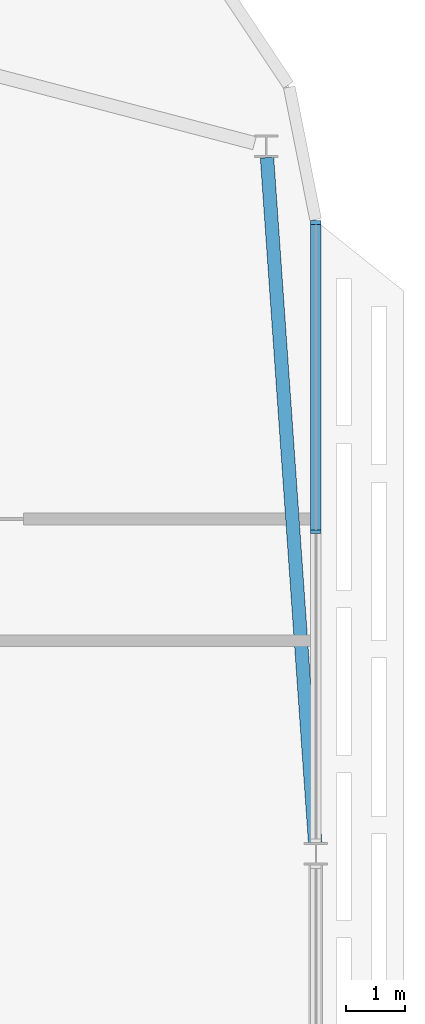
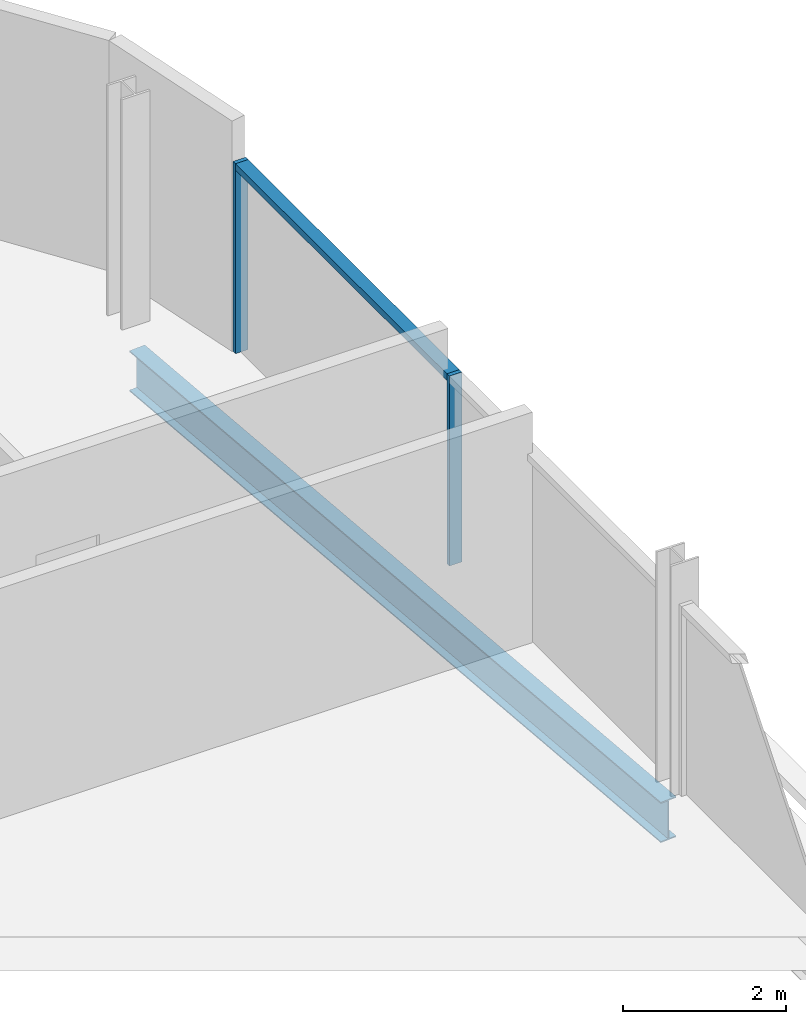
# One storey, part 15 of 32: 3 members, 1 beam, 1 element without a shape of its own.
"""IFC4 building model written with IfcOpenShell, lengths in metres."""

import ifcopenshell
import ifcopenshell.guid

model = None  # the IFC model being written
_history = None  # IfcOwnerHistory: only IFC2X3 demands one
_inside = {}  # id of a spatial element -> (the spatial element, [elements in it])
_under = {}  # id of a project, library or spatial element -> (it, [spatial elements below it])
_declared = {}  # id of a project -> (the project, [libraries it declares])
_typed = {}  # id of a type object -> (the type object, [elements of that type])
_made_of = {}  # id of a material, layer set ... -> (it, [elements and type objects made of it])


def new_model(schema):
    """Start an empty IFC model of exactly this schema.

    Asked for "IFC4X3", IfcOpenShell would pick the latest addendum, in which some entities
    have other attributes; the version numbers below select the first issue.
    IFC2X3 requires an IfcOwnerHistory on every rooted entity: one is made here for all.
    """
    global model, _history
    if schema == "IFC4X3":
        model = ifcopenshell.file(schema_version=(4, 3, 0, 0))
    else:
        model = ifcopenshell.file(schema=schema)
    _inside.clear()
    _under.clear()
    _declared.clear()
    _typed.clear()
    _made_of.clear()
    _history = None
    if model.schema == "IFC2X3":
        org = make("IfcOrganization", Name="unknown")
        user = make(
            "IfcPersonAndOrganization",
            ThePerson=make("IfcPerson", FamilyName="unknown"),
            TheOrganization=org,
        )
        app = make(
            "IfcApplication",
            ApplicationDeveloper=org,
            Version="unknown",
            ApplicationFullName="unknown",
            ApplicationIdentifier="unknown",
        )
        _history = make(
            "IfcOwnerHistory",
            OwningUser=user,
            OwningApplication=app,
            ChangeAction="ADDED",
            CreationDate=0,
        )
    return model


def make(cls, **values):
    """One entity of the class cls with the attributes given. An attribute that is None is left unset."""
    return model.create_entity(
        cls, **{name: value for name, value in values.items() if value is not None}
    )


def rooted(cls, **values):
    """An entity with a GlobalId (a new one), such as an element, a storey or a relation."""
    return make(cls, GlobalId=ifcopenshell.guid.new(), OwnerHistory=_history, **values)


def si_unit(unit_type, name, prefix=None):
    """IfcSIUnit, for example si_unit("LENGTHUNIT", "METRE", prefix="MILLI")."""
    return make("IfcSIUnit", UnitType=unit_type, Prefix=prefix, Name=name)


def assignment(units):
    """IfcUnitAssignment: the units of a project."""
    return None if units is None else make("IfcUnitAssignment", Units=units)


def point(xyz):
    """IfcCartesianPoint."""
    return None if xyz is None else make("IfcCartesianPoint", Coordinates=xyz)


def direction(xyz):
    """IfcDirection."""
    return None if xyz is None else make("IfcDirection", DirectionRatios=xyz)


def frame(location, z_axis=None, x_axis=None):
    """IfcAxis2Placement3D, a coordinate frame: its origin and axes. An axis left out is left unset."""
    return make(
        "IfcAxis2Placement3D",
        Location=point(location),
        Axis=direction(z_axis),
        RefDirection=direction(x_axis),
    )


def frame_2d(location, x_axis=None):
    """IfcAxis2Placement2D, a coordinate frame in the plane: its origin and x axis."""
    return make(
        "IfcAxis2Placement2D", Location=point(location), RefDirection=direction(x_axis)
    )


def origin():
    """The frame at (0, 0, 0) with its axes left unset."""
    return frame((0.0, 0.0, 0.0))


def origin_2d():
    """The frame at (0, 0) in the plane with its x axis left unset."""
    return frame_2d((0.0, 0.0))


def place(relative_to, where):
    """IfcLocalPlacement: puts the frame where relative to a parent placement (None: the world)."""
    return make(
        "IfcLocalPlacement", PlacementRelTo=relative_to, RelativePlacement=where
    )


def context(
    kind, dimensions, precision=None, world=None, true_north=None, identifier=None
):
    """IfcGeometricRepresentationContext, for example the 3D "Model" context."""
    return make(
        "IfcGeometricRepresentationContext",
        ContextIdentifier=identifier,
        ContextType=kind,
        CoordinateSpaceDimension=dimensions,
        Precision=precision,
        WorldCoordinateSystem=world,
        TrueNorth=true_north,
    )


def subcontext(parent, identifier, kind, view, scale=None):
    """IfcGeometricRepresentationSubContext, for example "Body" below "Model"."""
    return make(
        "IfcGeometricRepresentationSubContext",
        ContextIdentifier=identifier,
        ContextType=kind,
        ParentContext=parent,
        TargetScale=scale,
        TargetView=view,
    )


def project(units=None, contexts=None):
    """IfcProject with its units and contexts."""
    return rooted(
        "IfcProject",
        Name="project",
        RepresentationContexts=contexts,
        UnitsInContext=assignment(units),
    )


def spatial(cls, under=None, at=None, **own):
    """A site, building, storey or space (cls), placed at a placement, below another one or the project."""
    s = rooted(cls, ObjectPlacement=at, **own)
    if under is not None:
        _under.setdefault(under.id(), (under, []))[1].append(s)
    return s


def profile(cls, at=None, kind="AREA", **sizes):
    """A parametric profile (cls). Its sizes go by their IFC names, for example OverallWidth=200.0."""
    return make(cls, ProfileType=kind, Position=at, **sizes)


def rectangle(**sizes):
    """IfcRectangleProfileDef."""
    return profile("IfcRectangleProfileDef", **sizes)


def i_section(**sizes):
    """IfcIShapeProfileDef."""
    return profile("IfcIShapeProfileDef", **sizes)


def extrude(swept, where, along, depth):
    """IfcExtrudedAreaSolid: the profile swept, set in the frame where, extruded along a direction by depth."""
    return make(
        "IfcExtrudedAreaSolid",
        SweptArea=swept,
        Position=where,
        ExtrudedDirection=direction(along),
        Depth=depth,
    )


def shape(context_of_items, identifier, shape_type, items):
    """IfcShapeRepresentation: the items that make up one representation, for example the "Body"."""
    return make(
        "IfcShapeRepresentation",
        ContextOfItems=context_of_items,
        RepresentationIdentifier=identifier,
        RepresentationType=shape_type,
        Items=items,
    )


def material(Name=None, Category=None):
    """IfcMaterial."""
    return make("IfcMaterial", Name=Name, Category=Category)


def material_profile(
    of_material, cross_section, Name=None, Category=None, Priority=None
):
    """IfcMaterialProfile: a cross section and its material."""
    return make(
        "IfcMaterialProfile",
        Name=Name,
        Material=of_material,
        Profile=cross_section,
        Priority=Priority,
        Category=Category,
    )


def profile_set(profiles, Name=None, composite=None):
    """IfcMaterialProfileSet."""
    return make(
        "IfcMaterialProfileSet",
        Name=Name,
        MaterialProfiles=profiles,
        CompositeProfile=composite,
    )


def made_of(thing, what):
    """Note that an element or type object is made of a material, layer set ...; save() writes the relation."""
    if what is not None:
        _made_of.setdefault(what.id(), (what, []))[1].append(thing)
    return thing


def type_object(cls, material=None, **own):
    """A type object (cls), such as IfcWallType, which elements share."""
    return made_of(rooted(cls, **own), material)


def element(
    cls,
    number,
    at=None,
    inside=None,
    cuts=None,
    type_object=None,
    material=None,
    context=None,
    identifier="Body",
    shape_type=None,
    held_by="IfcProductDefinitionShape",
    body=None,
    shapes=None,
    **own,
):
    """One element of the class cls, such as IfcWall. Its Tag is "e" and its number.

    at: its placement. inside: the storey or other place that contains it. cuts: it is an
    opening in that element (IfcRelVoidsElement). A single representation is given by context,
    identifier, shape_type and body (its items); several are given by shapes. held_by: the class
    of the entity that holds the representations. save() writes the other relations.
    """
    e = rooted(cls, Tag="e%d" % number, ObjectPlacement=at, **own)
    if body is not None:
        shapes = [shape(context, identifier, shape_type, body)]
    if shapes is not None:
        e.Representation = make(held_by, Representations=shapes)
    if inside is not None:
        _inside.setdefault(inside.id(), (inside, []))[1].append(e)
    if cuts is not None:
        rooted(
            "IfcRelVoidsElement", RelatingBuildingElement=cuts, RelatedOpeningElement=e
        )
    if type_object is not None:
        _typed.setdefault(type_object.id(), (type_object, []))[1].append(e)
    return made_of(e, material)


def aggregate(whole, parts):
    """IfcRelAggregates: a whole, such as a stair, and the parts it consists of."""
    return rooted("IfcRelAggregates", RelatingObject=whole, RelatedObjects=parts)


def save(model, path):
    """Write the relations noted so far, then the file.

    IfcRelAggregates (storeys below a building ...), IfcRelContainedInSpatialStructure (elements
    in a storey), IfcRelDefinesByType, IfcRelAssociatesMaterial and IfcRelDeclares: one each for
    every whole, place, type object, material and project.
    """
    for whole, parts in _under.values():
        aggregate(whole, parts)
    for where, things in _inside.values():
        rooted(
            "IfcRelContainedInSpatialStructure",
            RelatedElements=things,
            RelatingStructure=where,
        )
    for kind, things in _typed.values():
        rooted("IfcRelDefinesByType", RelatedObjects=things, RelatingType=kind)
    for what, things in _made_of.values():
        rooted("IfcRelAssociatesMaterial", RelatedObjects=things, RelatingMaterial=what)
    for by, libraries in _declared.values():
        rooted("IfcRelDeclares", RelatingContext=by, RelatedDefinitions=libraries)
    model.write(path)


model = new_model("IFC4")

# Units and contexts
model_context = context("Model", 3, precision=1e-05, world=origin(), true_north=direction((0.0, 1.0)))
body_context = subcontext(model_context, "Body", "Model", "MODEL_VIEW")
ifc_project = project(units=[si_unit("LENGTHUNIT", "METRE"), si_unit("AREAUNIT", "SQUARE_METRE"), si_unit("VOLUMEUNIT", "CUBIC_METRE"), si_unit("PLANEANGLEUNIT", "RADIAN"), si_unit("MASSUNIT", "GRAM", prefix="KILO")], contexts=[model_context])

# Site, building, storey
site_placement = place(None, origin())
site = spatial("IfcSite", under=ifc_project, at=site_placement, CompositionType="ELEMENT")
building_placement = place(site_placement, origin())
building = spatial("IfcBuilding", under=site, at=building_placement, Name="Mahtab Terrace Research Tower", CompositionType="ELEMENT")
storey_placement = place(building_placement, frame((0.0, 0.0, 236.199951171875)))
storey = spatial("IfcBuildingStorey", under=building, at=storey_placement, Name="L57", CompositionType="ELEMENT", Elevation=236.199951171875)

# Curtain wall, members
ifc_material_1 = material(Name="Office ribbon curtain wall")
curtain_wall_type = type_object("IfcCurtainWallType", Name="Office ribbon curtain wall", PredefinedType="NOTDEFINED", material=ifc_material_1)
curtain_wall_placement = place(storey_placement, origin())
curtain_wall = element("IfcCurtainWall", 1, at=curtain_wall_placement, inside=storey, type_object=curtain_wall_type, Name="EN.L57.18.23", PredefinedType="NOTDEFINED")
ifc_material_2 = material(Name="Natural anodised aluminium", Category="aluminium")
ifc_material_profile_1 = material_profile(ifc_material_2, rectangle(XDim=0.179931640625, YDim=0.06005859375, at=origin_2d()), Name="MULLION 60x180")
ifc_profile_set_1 = profile_set([ifc_material_profile_1], Name="Natural anodised aluminium")
member_type_1 = type_object("IfcMemberType", Name="Office ribbon curtain wall mullion", PredefinedType="MULLION", material=ifc_profile_set_1)
member_1_placement = place(storey_placement, frame((54.0, 16.985595703125, 0.0), z_axis=(0.0, 0.0, 1.0), x_axis=(-1.0, 0.0, 0.0)))
member_1 = element("IfcMember", 2, at=member_1_placement, type_object=member_type_1, Name="CWO-7 mullion 2", PredefinedType="MULLION", context=body_context, shape_type="SweptSolid", body=[
    extrude(rectangle(XDim=0.179931640625, YDim=0.06005859375, at=origin_2d()), origin(), (0.0, 0.0, 1.0), 2.85302734375),
])
member_2_placement = place(storey_placement, frame((54.0, 22.248046875, 0.0), z_axis=(0.0, 0.0, 1.0), x_axis=(-1.0, 0.0, 0.0)))
member_2 = element("IfcMember", 3, at=member_2_placement, type_object=member_type_1, Name="CWO-7 mullion 3", PredefinedType="MULLION", context=body_context, shape_type="SweptSolid", body=[
    extrude(rectangle(XDim=0.179931640625, YDim=0.06005859375, at=origin_2d()), origin(), (0.0, 0.0, 1.0), 2.85302734375),
])
ifc_material_profile_2 = material_profile(ifc_material_2, rectangle(XDim=0.179931640625, YDim=0.10009765625, at=origin_2d()), Name="TRANSOM 100x180")
ifc_profile_set_2 = profile_set([ifc_material_profile_2], Name="Natural anodised aluminium")
member_type_2 = type_object("IfcMemberType", Name="Office ribbon curtain wall transom", PredefinedType="USERDEFINED", material=ifc_profile_set_2)
member_3_placement = place(storey_placement, frame((54.0, 17.015380859375, 2.802978515625), z_axis=(0.0, 1.0, 0.0), x_axis=(-1.0, 0.0, 0.0)))
member_3 = element("IfcMember", 4, at=member_3_placement, type_object=member_type_2, Name="CWO-7 transom 2", ObjectType="TRANSOM", PredefinedType="USERDEFINED", context=body_context, shape_type="SweptSolid", body=[
    extrude(rectangle(XDim=0.179931640625, YDim=0.10009765625, at=origin_2d()), origin(), (0.0, 0.0, 1.0), 5.20263671875),
])
aggregate(curtain_wall, [member_1, member_2, member_3])

# Beam
ifc_material_3 = material(Name="Steel ASTM A992 Gr 50", Category="steel")
ifc_material_profile_3 = material_profile(ifc_material_3, i_section(OverallWidth=0.228271484375, OverallDepth=0.607177734375, WebThickness=0.01123046875, FlangeThickness=0.017333984375, at=origin_2d()), Name="W24X76")
ifc_profile_set_3 = profile_set([ifc_material_profile_3], Name="Steel ASTM A992 Gr 50")
beam_type = type_object("IfcBeamType", Name="W24x76 beam BS2476", PredefinedType="BEAM", material=ifc_profile_set_3)
beam_placement = place(storey_placement, frame((53.986328125, 11.693115234375, -0.6435546875), z_axis=(-0.070055060722, 0.997543126119, 0.0), x_axis=(-0.997543126119, -0.070055060722, 0.0)))
element("IfcBeam", 5, at=beam_placement, inside=storey, type_object=beam_type, Name="Spandrel beam L57 22", PredefinedType="BEAM", context=body_context, shape_type="SweptSolid", body=[
    extrude(i_section(OverallWidth=0.228271484375, OverallDepth=0.607177734375, WebThickness=0.01123046875, FlangeThickness=0.017333984375, at=origin_2d()), origin(), (0.0, 0.0, 1.0), 11.688720703125),
])

save(model, "model.ifc")
